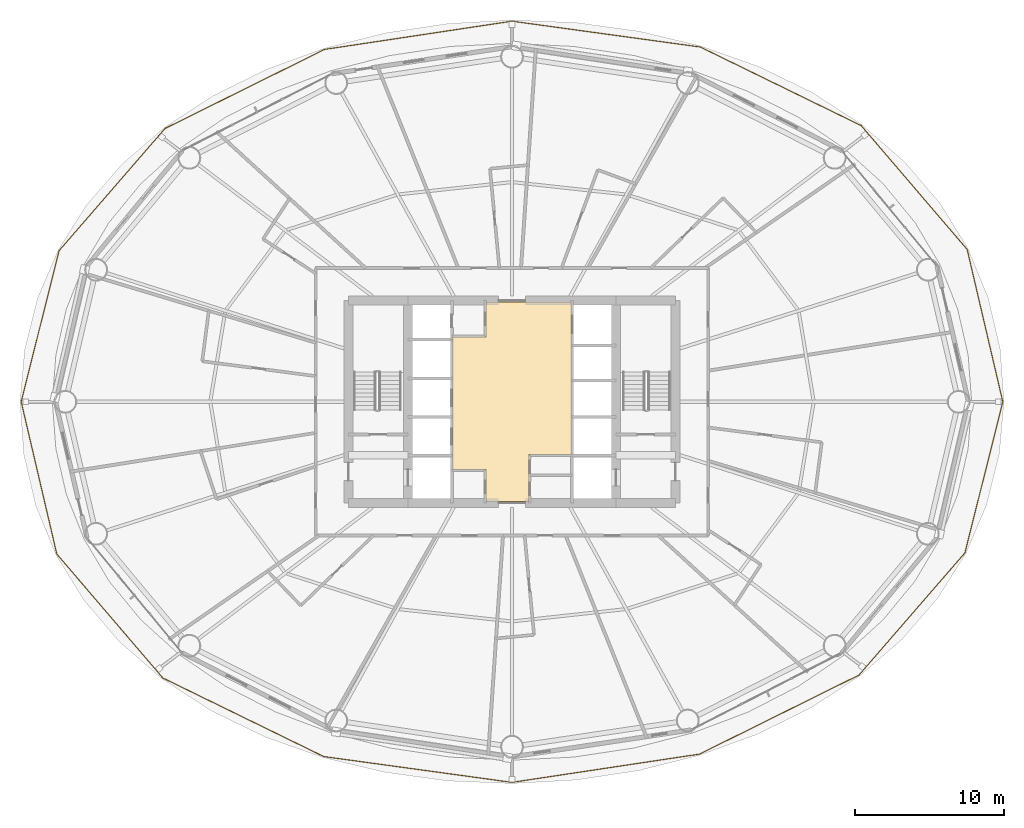
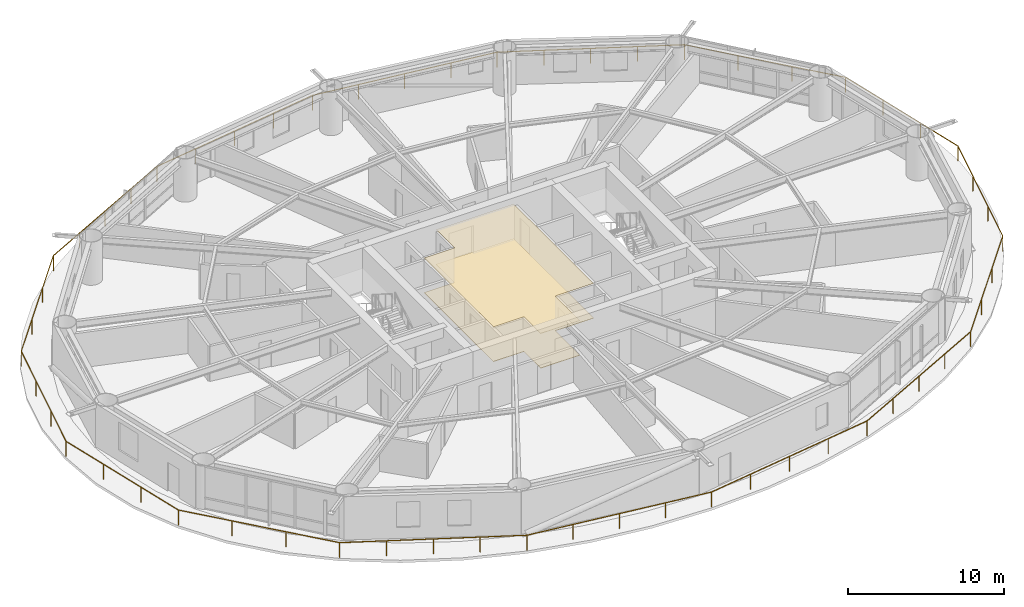
# One storey, part 27 of 28: 2 coverings, 1 railing.
"""IFC4 building model written with IfcOpenShell, lengths in metres."""

from ifc_helpers import new_model, si_unit, direction, frame, origin, origin_2d, place, context, subcontext, project, spatial, polyline, rectangle, outline, extrude, material, layer, layer_set, type_object, element, save


model = new_model("IFC4")

# Units and contexts
model_context = context("Model", 3, precision=1e-05, world=origin(), true_north=direction((0.0, 1.0)))
body_context = subcontext(model_context, "Body", "Model", "MODEL_VIEW")
ifc_project = project(units=[si_unit("LENGTHUNIT", "METRE"), si_unit("AREAUNIT", "SQUARE_METRE"), si_unit("VOLUMEUNIT", "CUBIC_METRE"), si_unit("PLANEANGLEUNIT", "RADIAN"), si_unit("MASSUNIT", "GRAM", prefix="KILO")], contexts=[model_context])

# Site, building, storey
site_placement = place(None, origin())
site = spatial("IfcSite", under=ifc_project, at=site_placement, CompositionType="ELEMENT")
building_placement = place(site_placement, origin())
building = spatial("IfcBuilding", under=site, at=building_placement, Name="Sarneth Arch Tower", CompositionType="ELEMENT")
storey_placement = place(building_placement, frame((0.0, 0.0, 67.800048828125)))
storey = spatial("IfcBuildingStorey", under=building, at=storey_placement, Name="L16", CompositionType="ELEMENT", Elevation=67.800048828125)

# Coverings
ifc_material_1 = material(Name="Perforated acoustic gypsum ceiling board")
ifc_layer_1 = layer(ifc_material_1, 0.02490234375)
ifc_layer_set_1 = layer_set([ifc_layer_1], Name="Perforated acoustic gypsum ceiling board")
covering_type_1 = type_object("IfcCoveringType", Name="COV-CEIL-GYP", PredefinedType="CEILING", material=ifc_layer_set_1)
covering_1_placement = place(storey_placement, frame((0.0, 0.0, 2.7099609375)))
element("IfcCovering", 1, at=covering_1_placement, inside=storey, type_object=covering_type_1, Name="L16 Lift lobby acoustic ceiling", PredefinedType="CEILING", context=body_context, shape_type="SweptSolid", body=[
    extrude(outline(polyline([(49.14990234375, 38.449951171875), (49.14990234375, 35.300048828125), (46.25, 35.300048828125), (46.25, 37.449951171875), (44.0, 37.449951171875), (44.0, 46.35009765625), (46.25, 46.35009765625), (46.25, 48.699951171875), (52.0, 48.699951171875), (52.0, 38.449951171875), (49.14990234375, 38.449951171875)])), origin(), (0.0, 0.0, 1.0), 0.030029296875),
])
ifc_material_2 = material(Name="Honed granite stone flooring", Category="masonry")
ifc_layer_2 = layer(ifc_material_2, 0.030029296875)
ifc_layer_set_2 = layer_set([ifc_layer_2], Name="Honed granite stone flooring")
covering_type_2 = type_object("IfcCoveringType", Name="COV-FLR-STONE", PredefinedType="FLOORING", material=ifc_layer_set_2)
covering_2_placement = place(storey_placement, origin())
element("IfcCovering", 2, at=covering_2_placement, inside=storey, type_object=covering_type_2, Name="L16 Lift lobby granite flooring", PredefinedType="FLOORING", context=body_context, shape_type="SweptSolid", body=[
    extrude(outline(polyline([(49.14990234375, 38.449951171875), (49.14990234375, 35.300048828125), (46.25, 35.300048828125), (46.25, 37.449951171875), (44.0, 37.449951171875), (44.0, 46.35009765625), (46.25, 46.35009765625), (46.25, 48.699951171875), (52.0, 48.699951171875), (52.0, 38.449951171875), (49.14990234375, 38.449951171875)])), origin(), (0.0, 0.0, 1.0), 0.030029296875),
])

# Railing
ifc_material_3 = material(Name="Laminated structural glass infill with Stainless Steel 316 top rail and posts", Category="steel")
railing_type = type_object("IfcRailingType", Name="RAIL-BALC-1200", PredefinedType="BALUSTRADE", material=ifc_material_3)
railing_placement = place(storey_placement, frame((81.005859375, 42.0, 0.0)))
element("IfcRailing", 3, at=railing_placement, inside=storey, type_object=railing_type, Name="L16 Helical balcony glass balustrade", PredefinedType="BALUSTRADE", context=body_context, shape_type="SweptSolid", body=[
    extrude(rectangle(XDim=0.048095703125, YDim=0.048095703125, at=origin_2d()), frame((0.0, 0.0, 1.17578125), z_axis=(-0.227856846693, 0.973694642799, 0.0), x_axis=(-0.973694642799, -0.227856846693, 0.0)), (0.0, 0.0, 1.0), 10.51953125),
    extrude(rectangle(XDim=0.048095703125, YDim=0.048095703125, at=origin_2d()), frame((-2.39697265625, 10.242919921875, 1.17578125), z_axis=(-0.650151097438, 0.759804942404, 0.0), x_axis=(-0.759804942404, -0.650151097438, 0.0)), (0.0, 0.0, 1.0), 10.963134765625),
    extrude(rectangle(XDim=0.048095703125, YDim=0.048095703125, at=origin_2d()), frame((-9.524658203125, 18.57275390625, 1.17578125), z_axis=(-0.898564912929, 0.438840628535, 0.0), x_axis=(-0.438840628535, -0.898564912929, 0.0)), (0.0, 0.0, 1.0), 12.041259765625),
    extrude(rectangle(XDim=0.048095703125, YDim=0.048095703125, at=origin_2d()), frame((-20.344482421875, 23.85693359375, 1.17578125), z_axis=(-0.990722324885, 0.135901710712, 0.0), x_axis=(-0.135901710712, -0.990722324885, 0.0)), (0.0, 0.0, 1.0), 12.780029296875),
    extrude(rectangle(XDim=0.048095703125, YDim=0.048095703125, at=origin_2d()), frame((-33.005859375, 25.59375, 1.17578125), z_axis=(-0.988827961918, -0.149061268374, 0.0), x_axis=(0.149061268374, -0.988827961918, 0.0)), (0.0, 0.0, 1.0), 12.75244140625),
    extrude(rectangle(XDim=0.048095703125, YDim=0.048095703125, at=origin_2d()), frame((-45.61572265625, 23.69287109375, 1.17578125), z_axis=(-0.896016541663, -0.44402067189, 0.0), x_axis=(0.44402067189, -0.896016541663, 0.0)), (0.0, 0.0, 1.0), 11.969482421875),
    extrude(rectangle(XDim=0.048095703125, YDim=0.048095703125, at=origin_2d()), frame((-56.340576171875, 18.378173828125, 1.17578125), z_axis=(-0.654964720146, -0.755659457271, 0.0), x_axis=(0.755659457271, -0.654964720146, 0.0)), (0.0, 0.0, 1.0), 10.87646484375),
    extrude(rectangle(XDim=0.048095703125, YDim=0.048095703125, at=origin_2d()), frame((-63.46435546875, 10.1591796875, 1.17578125), z_axis=(-0.243215666527, -0.969972236487, 0.0), x_axis=(0.969972236487, -0.243215666527, 0.0)), (0.0, 0.0, 1.0), 10.4736328125),
    extrude(rectangle(XDim=0.048095703125, YDim=0.048095703125, at=origin_2d()), frame((-66.01171875, 0.0, 1.17578125), z_axis=(0.227856846693, -0.973694642799, 0.0), x_axis=(0.973694642799, 0.227856846693, 0.0)), (0.0, 0.0, 1.0), 10.51953125),
    extrude(rectangle(XDim=0.048095703125, YDim=0.048095703125, at=origin_2d()), frame((-63.61474609375, -10.242919921875, 1.17578125), z_axis=(0.650151097438, -0.759804942404, 0.0), x_axis=(0.759804942404, 0.650151097438, 0.0)), (0.0, 0.0, 1.0), 10.963134765625),
    extrude(rectangle(XDim=0.048095703125, YDim=0.048095703125, at=origin_2d()), frame((-56.487060546875, -18.57275390625, 1.17578125), z_axis=(0.898564912929, -0.438840628535, 0.0), x_axis=(0.438840628535, 0.898564912929, 0.0)), (0.0, 0.0, 1.0), 12.041259765625),
    extrude(rectangle(XDim=0.048095703125, YDim=0.048095703125, at=origin_2d()), frame((-45.667236328125, -23.85693359375, 1.17578125), z_axis=(0.990722324885, -0.135901710712, 0.0), x_axis=(0.135901710712, 0.990722324885, 0.0)), (0.0, 0.0, 1.0), 12.780029296875),
    extrude(rectangle(XDim=0.048095703125, YDim=0.048095703125, at=origin_2d()), frame((-33.005859375, -25.59375, 1.17578125), z_axis=(0.988827961918, 0.149061268374, 0.0), x_axis=(-0.149061268374, 0.988827961918, 0.0)), (0.0, 0.0, 1.0), 12.75244140625),
    extrude(rectangle(XDim=0.048095703125, YDim=0.048095703125, at=origin_2d()), frame((-20.39599609375, -23.69287109375, 1.17578125), z_axis=(0.896016541663, 0.44402067189, 0.0), x_axis=(-0.44402067189, 0.896016541663, 0.0)), (0.0, 0.0, 1.0), 11.969482421875),
    extrude(rectangle(XDim=0.048095703125, YDim=0.048095703125, at=origin_2d()), frame((-9.671142578125, -18.378173828125, 1.17578125), z_axis=(0.654964720146, 0.755659457271, 0.0), x_axis=(-0.755659457271, 0.654964720146, 0.0)), (0.0, 0.0, 1.0), 10.87646484375),
    extrude(rectangle(XDim=0.048095703125, YDim=0.048095703125, at=origin_2d()), frame((-2.54736328125, -10.1591796875, 1.17578125), z_axis=(0.243215666527, 0.969972236487, 0.0), x_axis=(-0.969972236487, 0.243215666527, 0.0)), (0.0, 0.0, 1.0), 10.4736328125),
    extrude(rectangle(XDim=0.0419921875, YDim=0.0419921875, at=origin_2d()), origin(), (0.0, 0.0, 1.0), 1.15185546875),
    extrude(rectangle(XDim=0.0419921875, YDim=0.0419921875, at=origin_2d()), frame((-0.799072265625, 3.414306640625, 0.0)), (0.0, 0.0, 1.0), 1.15185546875),
    extrude(rectangle(XDim=0.0419921875, YDim=0.0419921875, at=origin_2d()), frame((-1.597900390625, 6.82861328125, 0.0)), (0.0, 0.0, 1.0), 1.15185546875),
    extrude(rectangle(XDim=0.0419921875, YDim=0.0419921875, at=origin_2d()), frame((-2.39697265625, 10.242919921875, 0.0)), (0.0, 0.0, 1.0), 1.15185546875),
    extrude(rectangle(XDim=0.0419921875, YDim=0.0419921875, at=origin_2d()), frame((-4.77294921875, 13.01953125, 0.0)), (0.0, 0.0, 1.0), 1.15185546875),
    extrude(rectangle(XDim=0.0419921875, YDim=0.0419921875, at=origin_2d()), frame((-7.148681640625, 15.796142578125, 0.0)), (0.0, 0.0, 1.0), 1.15185546875),
    extrude(rectangle(XDim=0.0419921875, YDim=0.0419921875, at=origin_2d()), frame((-9.524658203125, 18.57275390625, 0.0)), (0.0, 0.0, 1.0), 1.15185546875),
    extrude(rectangle(XDim=0.0419921875, YDim=0.0419921875, at=origin_2d()), frame((-12.2294921875, 19.893798828125, 0.0)), (0.0, 0.0, 1.0), 1.15185546875),
    extrude(rectangle(XDim=0.0419921875, YDim=0.0419921875, at=origin_2d()), frame((-14.9345703125, 21.21484375, 0.0)), (0.0, 0.0, 1.0), 1.15185546875),
    extrude(rectangle(XDim=0.0419921875, YDim=0.0419921875, at=origin_2d()), frame((-17.6396484375, 22.535888671875, 0.0)), (0.0, 0.0, 1.0), 1.15185546875),
    extrude(rectangle(XDim=0.0419921875, YDim=0.0419921875, at=origin_2d()), frame((-20.344482421875, 23.85693359375, 0.0)), (0.0, 0.0, 1.0), 1.15185546875),
    extrude(rectangle(XDim=0.0419921875, YDim=0.0419921875, at=origin_2d()), frame((-23.509765625, 24.291015625, 0.0)), (0.0, 0.0, 1.0), 1.15185546875),
    extrude(rectangle(XDim=0.0419921875, YDim=0.0419921875, at=origin_2d()), frame((-26.67529296875, 24.725341796875, 0.0)), (0.0, 0.0, 1.0), 1.15185546875),
    extrude(rectangle(XDim=0.0419921875, YDim=0.0419921875, at=origin_2d()), frame((-29.840576171875, 25.15966796875, 0.0)), (0.0, 0.0, 1.0), 1.15185546875),
    extrude(rectangle(XDim=0.0419921875, YDim=0.0419921875, at=origin_2d()), frame((-33.005859375, 25.59375, 0.0)), (0.0, 0.0, 1.0), 1.15185546875),
    extrude(rectangle(XDim=0.0419921875, YDim=0.0419921875, at=origin_2d()), frame((-36.158203125, 25.11865234375, 0.0)), (0.0, 0.0, 1.0), 1.15185546875),
    extrude(rectangle(XDim=0.0419921875, YDim=0.0419921875, at=origin_2d()), frame((-39.310791015625, 24.643310546875, 0.0)), (0.0, 0.0, 1.0), 1.15185546875),
    extrude(rectangle(XDim=0.0419921875, YDim=0.0419921875, at=origin_2d()), frame((-42.46337890625, 24.16796875, 0.0)), (0.0, 0.0, 1.0), 1.15185546875),
    extrude(rectangle(XDim=0.0419921875, YDim=0.0419921875, at=origin_2d()), frame((-45.61572265625, 23.69287109375, 0.0)), (0.0, 0.0, 1.0), 1.15185546875),
    extrude(rectangle(XDim=0.0419921875, YDim=0.0419921875, at=origin_2d()), frame((-48.296875, 22.3642578125, 0.0)), (0.0, 0.0, 1.0), 1.15185546875),
    extrude(rectangle(XDim=0.0419921875, YDim=0.0419921875, at=origin_2d()), frame((-50.97802734375, 21.03564453125, 0.0)), (0.0, 0.0, 1.0), 1.15185546875),
    extrude(rectangle(XDim=0.0419921875, YDim=0.0419921875, at=origin_2d()), frame((-53.659423828125, 19.706787109375, 0.0)), (0.0, 0.0, 1.0), 1.15185546875),
    extrude(rectangle(XDim=0.0419921875, YDim=0.0419921875, at=origin_2d()), frame((-56.340576171875, 18.378173828125, 0.0)), (0.0, 0.0, 1.0), 1.15185546875),
    extrude(rectangle(XDim=0.0419921875, YDim=0.0419921875, at=origin_2d()), frame((-58.715087890625, 15.638427734375, 0.0)), (0.0, 0.0, 1.0), 1.15185546875),
    extrude(rectangle(XDim=0.0419921875, YDim=0.0419921875, at=origin_2d()), frame((-61.08984375, 12.89892578125, 0.0)), (0.0, 0.0, 1.0), 1.15185546875),
    extrude(rectangle(XDim=0.0419921875, YDim=0.0419921875, at=origin_2d()), frame((-63.46435546875, 10.1591796875, 0.0)), (0.0, 0.0, 1.0), 1.15185546875),
    extrude(rectangle(XDim=0.0419921875, YDim=0.0419921875, at=origin_2d()), frame((-64.3134765625, 6.772705078125, 0.0)), (0.0, 0.0, 1.0), 1.15185546875),
    extrude(rectangle(XDim=0.0419921875, YDim=0.0419921875, at=origin_2d()), frame((-65.16259765625, 3.386474609375, 0.0)), (0.0, 0.0, 1.0), 1.15185546875),
    extrude(rectangle(XDim=0.0419921875, YDim=0.0419921875, at=origin_2d()), frame((-66.01171875, 0.0, 0.0)), (0.0, 0.0, 1.0), 1.15185546875),
    extrude(rectangle(XDim=0.0419921875, YDim=0.0419921875, at=origin_2d()), frame((-65.212646484375, -3.414306640625, 0.0)), (0.0, 0.0, 1.0), 1.15185546875),
    extrude(rectangle(XDim=0.0419921875, YDim=0.0419921875, at=origin_2d()), frame((-64.413818359375, -6.82861328125, 0.0)), (0.0, 0.0, 1.0), 1.15185546875),
    extrude(rectangle(XDim=0.0419921875, YDim=0.0419921875, at=origin_2d()), frame((-63.61474609375, -10.242919921875, 0.0)), (0.0, 0.0, 1.0), 1.15185546875),
    extrude(rectangle(XDim=0.0419921875, YDim=0.0419921875, at=origin_2d()), frame((-61.23876953125, -13.01953125, 0.0)), (0.0, 0.0, 1.0), 1.15185546875),
    extrude(rectangle(XDim=0.0419921875, YDim=0.0419921875, at=origin_2d()), frame((-58.863037109375, -15.796142578125, 0.0)), (0.0, 0.0, 1.0), 1.15185546875),
    extrude(rectangle(XDim=0.0419921875, YDim=0.0419921875, at=origin_2d()), frame((-56.487060546875, -18.57275390625, 0.0)), (0.0, 0.0, 1.0), 1.15185546875),
    extrude(rectangle(XDim=0.0419921875, YDim=0.0419921875, at=origin_2d()), frame((-53.7822265625, -19.893798828125, 0.0)), (0.0, 0.0, 1.0), 1.15185546875),
    extrude(rectangle(XDim=0.0419921875, YDim=0.0419921875, at=origin_2d()), frame((-51.0771484375, -21.21484375, 0.0)), (0.0, 0.0, 1.0), 1.15185546875),
    extrude(rectangle(XDim=0.0419921875, YDim=0.0419921875, at=origin_2d()), frame((-48.3720703125, -22.535888671875, 0.0)), (0.0, 0.0, 1.0), 1.15185546875),
    extrude(rectangle(XDim=0.0419921875, YDim=0.0419921875, at=origin_2d()), frame((-45.667236328125, -23.85693359375, 0.0)), (0.0, 0.0, 1.0), 1.15185546875),
    extrude(rectangle(XDim=0.0419921875, YDim=0.0419921875, at=origin_2d()), frame((-42.501953125, -24.291015625, 0.0)), (0.0, 0.0, 1.0), 1.15185546875),
    extrude(rectangle(XDim=0.0419921875, YDim=0.0419921875, at=origin_2d()), frame((-39.33642578125, -24.725341796875, 0.0)), (0.0, 0.0, 1.0), 1.15185546875),
    extrude(rectangle(XDim=0.0419921875, YDim=0.0419921875, at=origin_2d()), frame((-36.171142578125, -25.15966796875, 0.0)), (0.0, 0.0, 1.0), 1.15185546875),
    extrude(rectangle(XDim=0.0419921875, YDim=0.0419921875, at=origin_2d()), frame((-33.005859375, -25.59375, 0.0)), (0.0, 0.0, 1.0), 1.15185546875),
    extrude(rectangle(XDim=0.0419921875, YDim=0.0419921875, at=origin_2d()), frame((-29.853515625, -25.11865234375, 0.0)), (0.0, 0.0, 1.0), 1.15185546875),
    extrude(rectangle(XDim=0.0419921875, YDim=0.0419921875, at=origin_2d()), frame((-26.700927734375, -24.643310546875, 0.0)), (0.0, 0.0, 1.0), 1.15185546875),
    extrude(rectangle(XDim=0.0419921875, YDim=0.0419921875, at=origin_2d()), frame((-23.54833984375, -24.16796875, 0.0)), (0.0, 0.0, 1.0), 1.15185546875),
    extrude(rectangle(XDim=0.0419921875, YDim=0.0419921875, at=origin_2d()), frame((-20.39599609375, -23.69287109375, 0.0)), (0.0, 0.0, 1.0), 1.15185546875),
    extrude(rectangle(XDim=0.0419921875, YDim=0.0419921875, at=origin_2d()), frame((-17.71484375, -22.3642578125, 0.0)), (0.0, 0.0, 1.0), 1.15185546875),
    extrude(rectangle(XDim=0.0419921875, YDim=0.0419921875, at=origin_2d()), frame((-15.03369140625, -21.03564453125, 0.0)), (0.0, 0.0, 1.0), 1.15185546875),
    extrude(rectangle(XDim=0.0419921875, YDim=0.0419921875, at=origin_2d()), frame((-12.352294921875, -19.706787109375, 0.0)), (0.0, 0.0, 1.0), 1.15185546875),
    extrude(rectangle(XDim=0.0419921875, YDim=0.0419921875, at=origin_2d()), frame((-9.671142578125, -18.378173828125, 0.0)), (0.0, 0.0, 1.0), 1.15185546875),
    extrude(rectangle(XDim=0.0419921875, YDim=0.0419921875, at=origin_2d()), frame((-7.296630859375, -15.638427734375, 0.0)), (0.0, 0.0, 1.0), 1.15185546875),
    extrude(rectangle(XDim=0.0419921875, YDim=0.0419921875, at=origin_2d()), frame((-4.921875, -12.89892578125, 0.0)), (0.0, 0.0, 1.0), 1.15185546875),
    extrude(rectangle(XDim=0.0419921875, YDim=0.0419921875, at=origin_2d()), frame((-2.54736328125, -10.1591796875, 0.0)), (0.0, 0.0, 1.0), 1.15185546875),
    extrude(rectangle(XDim=0.0419921875, YDim=0.0419921875, at=origin_2d()), frame((-1.6982421875, -6.772705078125, 0.0)), (0.0, 0.0, 1.0), 1.15185546875),
    extrude(rectangle(XDim=0.0419921875, YDim=0.0419921875, at=origin_2d()), frame((-0.84912109375, -3.386474609375, 0.0)), (0.0, 0.0, 1.0), 1.15185546875),
])

save(model, "model.ifc")
